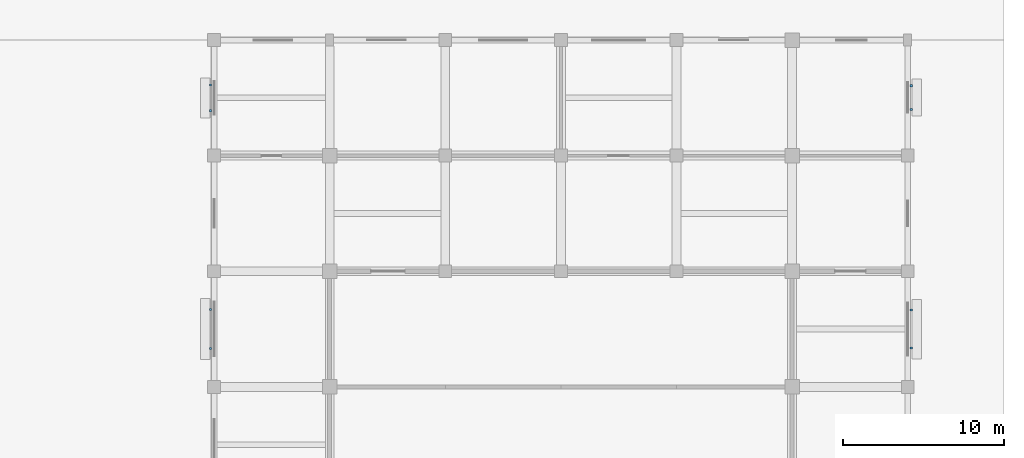
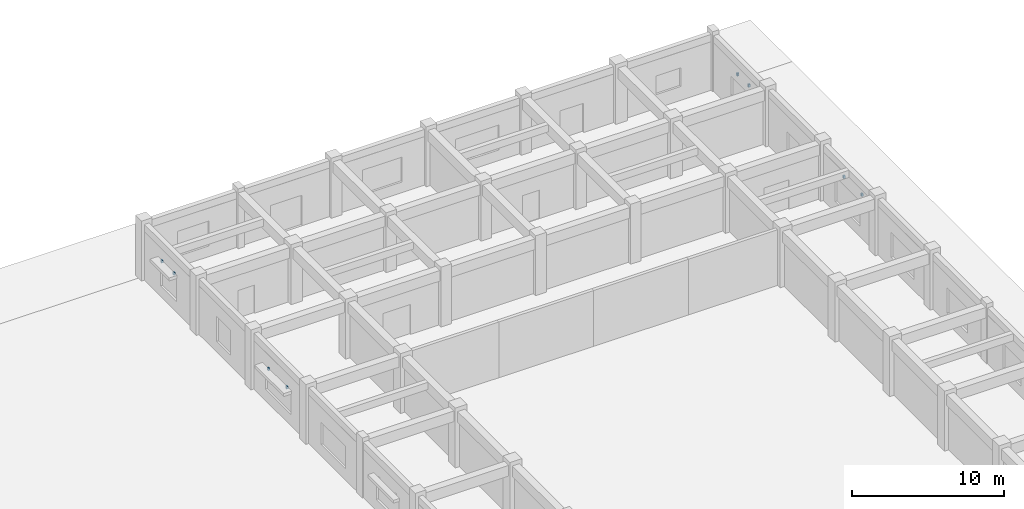
# One storey, part 34 of 37: 8 discrete accessories.
"""IFC4 building model written with IfcOpenShell, lengths in metres."""

from ifc_helpers import new_model, si_unit, direction, frame, origin, origin_2d, place, context, subcontext, project, spatial, rectangle, extrude, material, type_object, element, save


model = new_model("IFC4")

# Units and contexts
model_context = context("Model", 3, precision=1e-05, world=origin(), true_north=direction((0.0, 1.0)))
body_context = subcontext(model_context, "Body", "Model", "MODEL_VIEW")
ifc_project = project(units=[si_unit("LENGTHUNIT", "METRE"), si_unit("AREAUNIT", "SQUARE_METRE"), si_unit("VOLUMEUNIT", "CUBIC_METRE"), si_unit("PLANEANGLEUNIT", "RADIAN"), si_unit("MASSUNIT", "GRAM", prefix="KILO")], contexts=[model_context])

# Site, building, storey
site_placement = place(None, origin())
site = spatial("IfcSite", under=ifc_project, at=site_placement, CompositionType="ELEMENT")
building_placement = place(site_placement, origin())
building = spatial("IfcBuilding", under=site, at=building_placement, Name="Cendaluz Park School", CompositionType="ELEMENT")
storey_placement = place(building_placement, origin())
storey = spatial("IfcBuildingStorey", under=building, at=storey_placement, Name="L00", CompositionType="ELEMENT", Elevation=0.0)

# Discrete accessories
ifc_material = material(Name="Steel S355", Category="steel")
discrete_accessory_type = type_object("IfcDiscreteAccessoryType", Name="BK-01", PredefinedType="BRACKET", material=ifc_material)
for number, where, z_axis, x_axis, name in (
    (1, (129.3798828125, 95.98388671875, 2.72998046875), (0.0, 0.0, 1.0), (0.0, 1.0, 0.0), "BK-L00-049"),
    (2, (129.3798828125, 98.416015625, 2.72998046875), (0.0, 0.0, 1.0), (0.0, 1.0, 0.0), "BK-L00-050"),
    (3, (129.3798828125, 110.800048828125, 2.8798828125), (0.0, 0.0, 1.0), (0.0, 1.0, 0.0), "BK-L00-051"),
    (4, (129.3798828125, 112.39990234375, 2.8798828125), (0.0, 0.0, 1.0), (0.0, 1.0, 0.0), "BK-L00-052"),
    (5, (173.02001953125, 96.01611328125, 2.8798828125), (0.0, 0.0, 1.0), (0.0, 1.0, 0.0), "BK-L00-067"),
    (6, (173.02001953125, 98.384033203125, 2.8798828125), (0.0, 0.0, 1.0), (0.0, 1.0, 0.0), "BK-L00-068"),
    (7, (173.02001953125, 110.87646484375, 2.6298828125), (0.0, 0.0, 1.0), (0.0, 1.0, 0.0), "BK-L00-069"),
    (8, (173.02001953125, 112.348388671875, 2.6298828125), (0.0, 0.0, 1.0), (0.0, 1.0, 0.0), "BK-L00-070"),
):
    element("IfcDiscreteAccessory", number, at=place(storey_placement, frame(where, z_axis=z_axis, x_axis=x_axis)), inside=storey, type_object=discrete_accessory_type, Name=name, PredefinedType="BRACKET", context=body_context, shape_type="SweptSolid", body=[
        extrude(rectangle(XDim=0.139892578125, YDim=0.139892578125, at=origin_2d()), origin(), (0.0, 0.0, 1.0), 0.219970703125),
    ])

save(model, "model.ifc")
